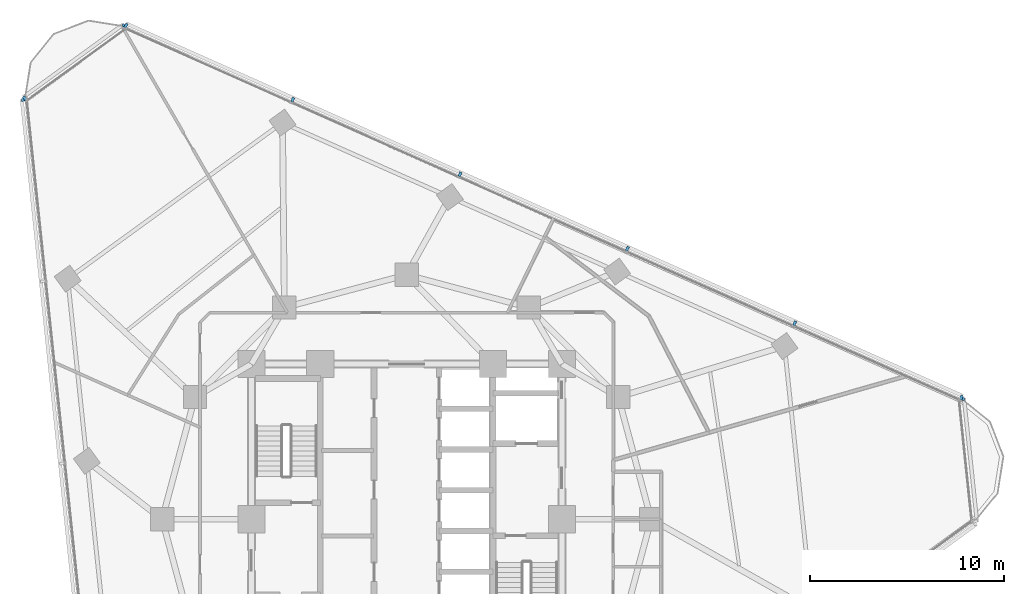
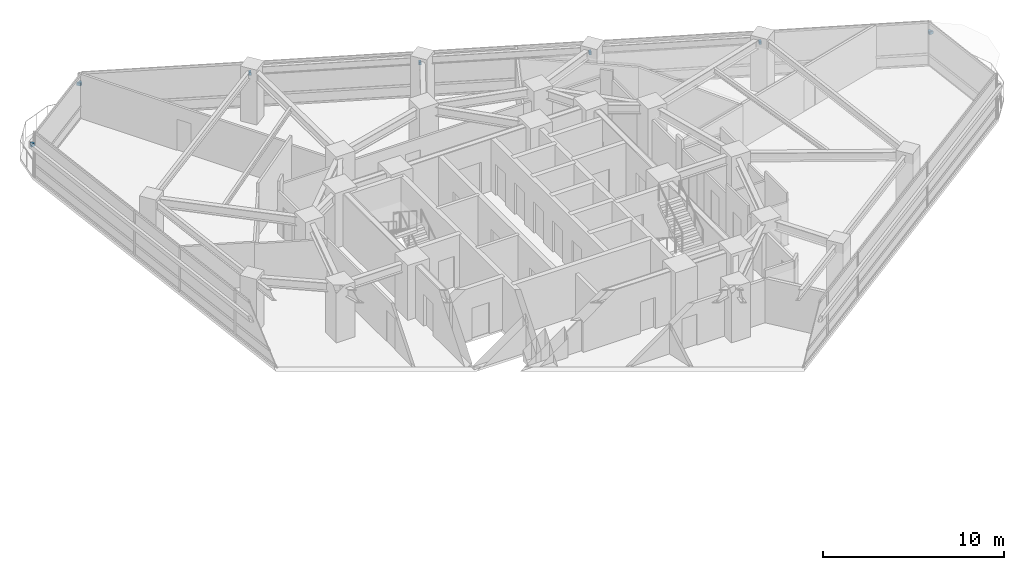
# One storey, part 11 of 14: 10 discrete accessories.
"""IFC4 building model written with IfcOpenShell, lengths in metres."""

from ifc_helpers import new_model, si_unit, direction, frame, origin, origin_2d, place, context, subcontext, project, spatial, rectangle, extrude, material, type_object, element, save


model = new_model("IFC4")

# Units and contexts
model_context = context("Model", 3, precision=1e-05, world=origin(), true_north=direction((0.0, 1.0)))
body_context = subcontext(model_context, "Body", "Model", "MODEL_VIEW")
ifc_project = project(units=[si_unit("LENGTHUNIT", "METRE"), si_unit("AREAUNIT", "SQUARE_METRE"), si_unit("VOLUMEUNIT", "CUBIC_METRE"), si_unit("PLANEANGLEUNIT", "RADIAN"), si_unit("MASSUNIT", "GRAM", prefix="KILO")], contexts=[model_context])

# Site, building, storey
site_placement = place(None, origin())
site = spatial("IfcSite", under=ifc_project, at=site_placement, CompositionType="ELEMENT")
building_placement = place(site_placement, origin())
building = spatial("IfcBuilding", under=site, at=building_placement, Name="Terralouvre Media Tower", CompositionType="ELEMENT")
storey_placement = place(building_placement, frame((0.0, 0.0, 162.0)))
storey = spatial("IfcBuildingStorey", under=building, at=storey_placement, Name="L41", CompositionType="ELEMENT", Elevation=162.0)

# Discrete accessories
ifc_material = material(Name="Anodised extruded aluminium 6063-T6", Category="aluminium")
discrete_accessory_type = type_object("IfcDiscreteAccessoryType", Name="Mullion Stand-Off Baguette Fixing Bracket BK-01", PredefinedType="BRACKET", material=ifc_material)
for number, where, z_axis, x_axis, name in (
    (1, (28.588623046875, 6.280517578125, 2.07421875), (0.0, 0.0, 1.0), (-0.913545469547, 0.406736616337, 0.0), "CW-L41-F1 Baguette Outrigger Bracket 1.01"),
    (2, (19.9990234375, 10.104736328125, 2.07421875), (0.0, 0.0, 1.0), (-0.913545469547, 0.406736616337, 0.0), "CW-L41-F1 Baguette Outrigger Bracket 1.02"),
    (3, (11.375, 13.9443359375, 2.07421875), (0.0, 0.0, 1.0), (-0.913545469547, 0.406736616337, 0.0), "CW-L41-F1 Baguette Outrigger Bracket 1.03"),
    (4, (2.751220703125, 17.783935546875, 2.07421875), (0.0, 0.0, 1.0), (-0.913545469547, 0.406736616337, 0.0), "CW-L41-F1 Baguette Outrigger Bracket 1.04"),
    (5, (-5.87255859375, 21.62353515625, 2.07421875), (0.0, 0.0, 1.0), (-0.913545469547, 0.406736616337, 0.0), "CW-L41-F1 Baguette Outrigger Bracket 1.05"),
    (6, (-14.462158203125, 25.44775390625, 2.07421875), (0.0, 0.0, 1.0), (-0.913545469547, 0.406736616337, 0.0), "CW-L41-F1 Baguette Outrigger Bracket 1.06"),
    (7, (-19.7333984375, 21.6181640625, 2.07421875), (0.0, 0.0, 1.0), (0.104528376236, -0.994521904516, 0.0), "CW-L41-F2 Baguette Outrigger Bracket 1.01"),
    (8, (28.63037109375, 6.193359375, 2.07421875), (0.0, 0.0, 1.0), (-0.10452850319, 0.994521891172, 0.0), "CW-L41-C1 Baguette Outrigger Bracket 1.02"),
    (9, (-14.554931640625, 25.420654296875, 2.07421875), (0.0, 0.0, 1.0), (-0.809017438344, -0.587784641221, 0.0), "CW-L41-C2 Baguette Outrigger Bracket 1.01"),
    (10, (-19.678955078125, 21.697998046875, 2.07421875), (0.0, 0.0, 1.0), (-0.809017438344, -0.587784641221, 0.0), "CW-L41-C2 Baguette Outrigger Bracket 1.02"),
):
    element("IfcDiscreteAccessory", number, at=place(storey_placement, frame(where, z_axis=z_axis, x_axis=x_axis)), inside=storey, type_object=discrete_accessory_type, Name=name, PredefinedType="BRACKET", context=body_context, shape_type="SweptSolid", body=[
        extrude(rectangle(XDim=0.139892578125, YDim=0.239990234375, at=origin_2d()), origin(), (0.0, 0.0, 1.0), 0.179931640625),
    ])

save(model, "model.ifc")
